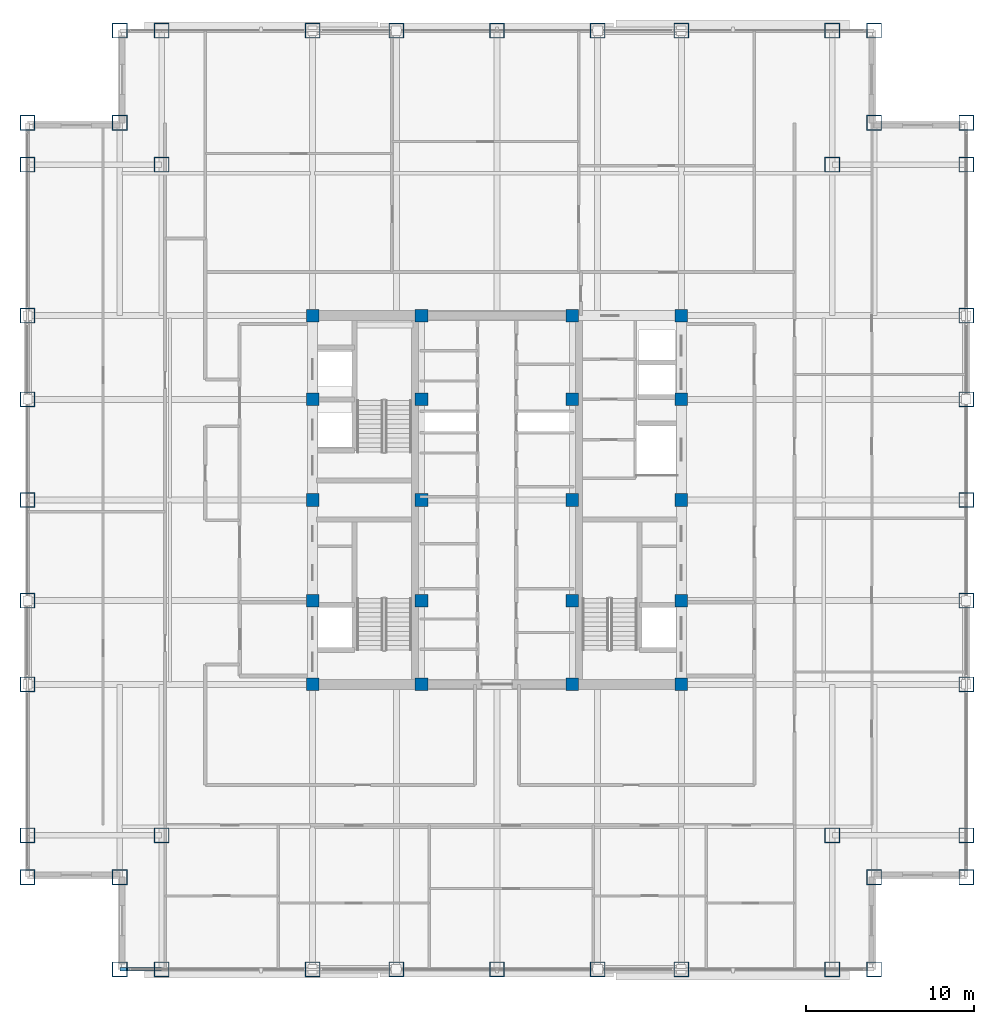
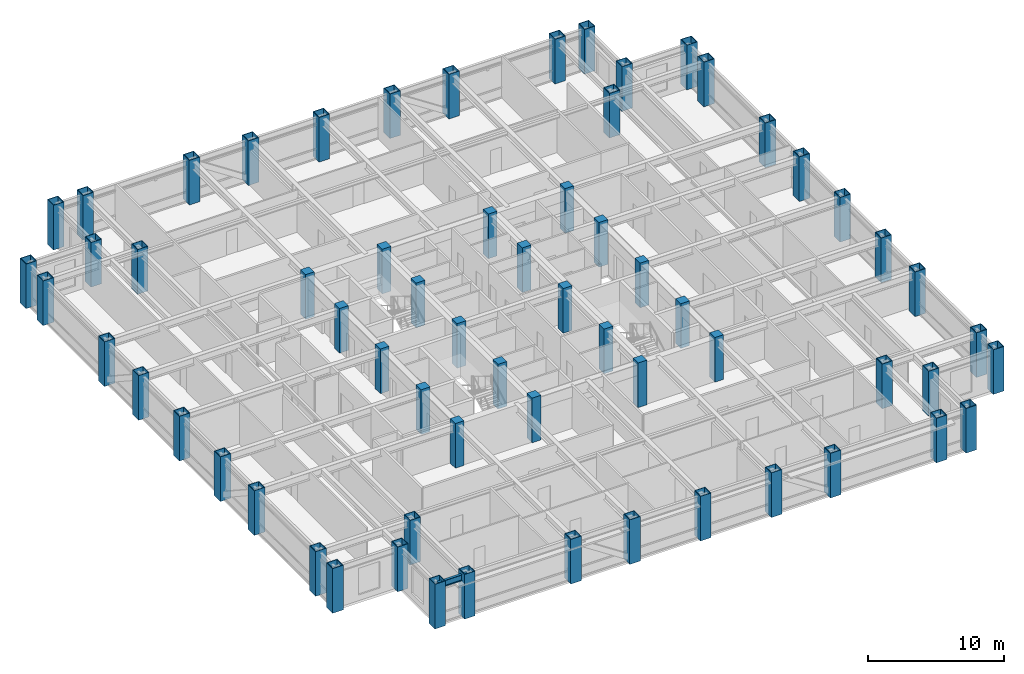
# One storey, part 1 of 27: 64 columns, 1 beam.
"""IFC4 building model written with IfcOpenShell, lengths in metres."""

import ifcopenshell
import ifcopenshell.guid

model = None  # the IFC model being written
_history = None  # IfcOwnerHistory: only IFC2X3 demands one
_inside = {}  # id of a spatial element -> (the spatial element, [elements in it])
_under = {}  # id of a project, library or spatial element -> (it, [spatial elements below it])
_declared = {}  # id of a project -> (the project, [libraries it declares])
_typed = {}  # id of a type object -> (the type object, [elements of that type])
_made_of = {}  # id of a material, layer set ... -> (it, [elements and type objects made of it])


def new_model(schema):
    """Start an empty IFC model of exactly this schema.

    Asked for "IFC4X3", IfcOpenShell would pick the latest addendum, in which some entities
    have other attributes; the version numbers below select the first issue.
    IFC2X3 requires an IfcOwnerHistory on every rooted entity: one is made here for all.
    """
    global model, _history
    if schema == "IFC4X3":
        model = ifcopenshell.file(schema_version=(4, 3, 0, 0))
    else:
        model = ifcopenshell.file(schema=schema)
    _inside.clear()
    _under.clear()
    _declared.clear()
    _typed.clear()
    _made_of.clear()
    _history = None
    if model.schema == "IFC2X3":
        org = make("IfcOrganization", Name="unknown")
        user = make(
            "IfcPersonAndOrganization",
            ThePerson=make("IfcPerson", FamilyName="unknown"),
            TheOrganization=org,
        )
        app = make(
            "IfcApplication",
            ApplicationDeveloper=org,
            Version="unknown",
            ApplicationFullName="unknown",
            ApplicationIdentifier="unknown",
        )
        _history = make(
            "IfcOwnerHistory",
            OwningUser=user,
            OwningApplication=app,
            ChangeAction="ADDED",
            CreationDate=0,
        )
    return model


def make(cls, **values):
    """One entity of the class cls with the attributes given. An attribute that is None is left unset."""
    return model.create_entity(
        cls, **{name: value for name, value in values.items() if value is not None}
    )


def rooted(cls, **values):
    """An entity with a GlobalId (a new one), such as an element, a storey or a relation."""
    return make(cls, GlobalId=ifcopenshell.guid.new(), OwnerHistory=_history, **values)


def si_unit(unit_type, name, prefix=None):
    """IfcSIUnit, for example si_unit("LENGTHUNIT", "METRE", prefix="MILLI")."""
    return make("IfcSIUnit", UnitType=unit_type, Prefix=prefix, Name=name)


def assignment(units):
    """IfcUnitAssignment: the units of a project."""
    return None if units is None else make("IfcUnitAssignment", Units=units)


def point(xyz):
    """IfcCartesianPoint."""
    return None if xyz is None else make("IfcCartesianPoint", Coordinates=xyz)


def direction(xyz):
    """IfcDirection."""
    return None if xyz is None else make("IfcDirection", DirectionRatios=xyz)


def frame(location, z_axis=None, x_axis=None):
    """IfcAxis2Placement3D, a coordinate frame: its origin and axes. An axis left out is left unset."""
    return make(
        "IfcAxis2Placement3D",
        Location=point(location),
        Axis=direction(z_axis),
        RefDirection=direction(x_axis),
    )


def frame_2d(location, x_axis=None):
    """IfcAxis2Placement2D, a coordinate frame in the plane: its origin and x axis."""
    return make(
        "IfcAxis2Placement2D", Location=point(location), RefDirection=direction(x_axis)
    )


def origin():
    """The frame at (0, 0, 0) with its axes left unset."""
    return frame((0.0, 0.0, 0.0))


def origin_2d():
    """The frame at (0, 0) in the plane with its x axis left unset."""
    return frame_2d((0.0, 0.0))


def place(relative_to, where):
    """IfcLocalPlacement: puts the frame where relative to a parent placement (None: the world)."""
    return make(
        "IfcLocalPlacement", PlacementRelTo=relative_to, RelativePlacement=where
    )


def context(
    kind, dimensions, precision=None, world=None, true_north=None, identifier=None
):
    """IfcGeometricRepresentationContext, for example the 3D "Model" context."""
    return make(
        "IfcGeometricRepresentationContext",
        ContextIdentifier=identifier,
        ContextType=kind,
        CoordinateSpaceDimension=dimensions,
        Precision=precision,
        WorldCoordinateSystem=world,
        TrueNorth=true_north,
    )


def subcontext(parent, identifier, kind, view, scale=None):
    """IfcGeometricRepresentationSubContext, for example "Body" below "Model"."""
    return make(
        "IfcGeometricRepresentationSubContext",
        ContextIdentifier=identifier,
        ContextType=kind,
        ParentContext=parent,
        TargetScale=scale,
        TargetView=view,
    )


def project(units=None, contexts=None):
    """IfcProject with its units and contexts."""
    return rooted(
        "IfcProject",
        Name="project",
        RepresentationContexts=contexts,
        UnitsInContext=assignment(units),
    )


def spatial(cls, under=None, at=None, **own):
    """A site, building, storey or space (cls), placed at a placement, below another one or the project."""
    s = rooted(cls, ObjectPlacement=at, **own)
    if under is not None:
        _under.setdefault(under.id(), (under, []))[1].append(s)
    return s


def profile(cls, at=None, kind="AREA", **sizes):
    """A parametric profile (cls). Its sizes go by their IFC names, for example OverallWidth=200.0."""
    return make(cls, ProfileType=kind, Position=at, **sizes)


def rectangle(**sizes):
    """IfcRectangleProfileDef."""
    return profile("IfcRectangleProfileDef", **sizes)


def hollow_rectangle(**sizes):
    """IfcRectangleHollowProfileDef."""
    return profile("IfcRectangleHollowProfileDef", **sizes)


def i_section(**sizes):
    """IfcIShapeProfileDef."""
    return profile("IfcIShapeProfileDef", **sizes)


def extrude(swept, where, along, depth):
    """IfcExtrudedAreaSolid: the profile swept, set in the frame where, extruded along a direction by depth."""
    return make(
        "IfcExtrudedAreaSolid",
        SweptArea=swept,
        Position=where,
        ExtrudedDirection=direction(along),
        Depth=depth,
    )


def shape(context_of_items, identifier, shape_type, items):
    """IfcShapeRepresentation: the items that make up one representation, for example the "Body"."""
    return make(
        "IfcShapeRepresentation",
        ContextOfItems=context_of_items,
        RepresentationIdentifier=identifier,
        RepresentationType=shape_type,
        Items=items,
    )


def source(mapping_origin, context_of_items, identifier, shape_type, items):
    """IfcRepresentationMap: a shape defined once, which mapped items show again and again."""
    return make(
        "IfcRepresentationMap",
        MappingOrigin=mapping_origin,
        MappedRepresentation=shape(context_of_items, identifier, shape_type, items),
    )


def transform(
    local_origin,
    x_axis=None,
    y_axis=None,
    z_axis=None,
    scale=None,
    scale2=None,
    scale3=None,
    uniform=True,
):
    """IfcCartesianTransformationOperator3D, or its non-uniform kind. x_axis, y_axis, z_axis: its Axis1, 2, 3."""
    if uniform:
        return make(
            "IfcCartesianTransformationOperator3D",
            Axis1=direction(x_axis),
            Axis2=direction(y_axis),
            LocalOrigin=point(local_origin),
            Scale=scale,
            Axis3=direction(z_axis),
        )
    return make(
        "IfcCartesianTransformationOperator3DnonUniform",
        Axis1=direction(x_axis),
        Axis2=direction(y_axis),
        LocalOrigin=point(local_origin),
        Scale=scale,
        Axis3=direction(z_axis),
        Scale2=scale2,
        Scale3=scale3,
    )


def mapped(mapping_source, mapping_target):
    """IfcMappedItem: shows the shape of a source again, moved by a transform."""
    return make(
        "IfcMappedItem", MappingSource=mapping_source, MappingTarget=mapping_target
    )


def material(Name=None, Category=None):
    """IfcMaterial."""
    return make("IfcMaterial", Name=Name, Category=Category)


def material_profile(
    of_material, cross_section, Name=None, Category=None, Priority=None
):
    """IfcMaterialProfile: a cross section and its material."""
    return make(
        "IfcMaterialProfile",
        Name=Name,
        Material=of_material,
        Profile=cross_section,
        Priority=Priority,
        Category=Category,
    )


def profile_set(profiles, Name=None, composite=None):
    """IfcMaterialProfileSet."""
    return make(
        "IfcMaterialProfileSet",
        Name=Name,
        MaterialProfiles=profiles,
        CompositeProfile=composite,
    )


def made_of(thing, what):
    """Note that an element or type object is made of a material, layer set ...; save() writes the relation."""
    if what is not None:
        _made_of.setdefault(what.id(), (what, []))[1].append(thing)
    return thing


def type_object(cls, material=None, **own):
    """A type object (cls), such as IfcWallType, which elements share."""
    return made_of(rooted(cls, **own), material)


def element(
    cls,
    number,
    at=None,
    inside=None,
    cuts=None,
    type_object=None,
    material=None,
    context=None,
    identifier="Body",
    shape_type=None,
    held_by="IfcProductDefinitionShape",
    body=None,
    shapes=None,
    **own,
):
    """One element of the class cls, such as IfcWall. Its Tag is "e" and its number.

    at: its placement. inside: the storey or other place that contains it. cuts: it is an
    opening in that element (IfcRelVoidsElement). A single representation is given by context,
    identifier, shape_type and body (its items); several are given by shapes. held_by: the class
    of the entity that holds the representations. save() writes the other relations.
    """
    e = rooted(cls, Tag="e%d" % number, ObjectPlacement=at, **own)
    if body is not None:
        shapes = [shape(context, identifier, shape_type, body)]
    if shapes is not None:
        e.Representation = make(held_by, Representations=shapes)
    if inside is not None:
        _inside.setdefault(inside.id(), (inside, []))[1].append(e)
    if cuts is not None:
        rooted(
            "IfcRelVoidsElement", RelatingBuildingElement=cuts, RelatedOpeningElement=e
        )
    if type_object is not None:
        _typed.setdefault(type_object.id(), (type_object, []))[1].append(e)
    return made_of(e, material)


def aggregate(whole, parts):
    """IfcRelAggregates: a whole, such as a stair, and the parts it consists of."""
    return rooted("IfcRelAggregates", RelatingObject=whole, RelatedObjects=parts)


def save(model, path):
    """Write the relations noted so far, then the file.

    IfcRelAggregates (storeys below a building ...), IfcRelContainedInSpatialStructure (elements
    in a storey), IfcRelDefinesByType, IfcRelAssociatesMaterial and IfcRelDeclares: one each for
    every whole, place, type object, material and project.
    """
    for whole, parts in _under.values():
        aggregate(whole, parts)
    for where, things in _inside.values():
        rooted(
            "IfcRelContainedInSpatialStructure",
            RelatedElements=things,
            RelatingStructure=where,
        )
    for kind, things in _typed.values():
        rooted("IfcRelDefinesByType", RelatedObjects=things, RelatingType=kind)
    for what, things in _made_of.values():
        rooted("IfcRelAssociatesMaterial", RelatedObjects=things, RelatingMaterial=what)
    for by, libraries in _declared.values():
        rooted("IfcRelDeclares", RelatingContext=by, RelatedDefinitions=libraries)
    model.write(path)


model = new_model("IFC4")

# Units and contexts
model_context = context("Model", 3, precision=1e-05, world=origin(), true_north=direction((0.0, 1.0)))
body_context = subcontext(model_context, "Body", "Model", "MODEL_VIEW")
ifc_project = project(units=[si_unit("LENGTHUNIT", "METRE"), si_unit("AREAUNIT", "SQUARE_METRE"), si_unit("VOLUMEUNIT", "CUBIC_METRE"), si_unit("PLANEANGLEUNIT", "RADIAN"), si_unit("MASSUNIT", "GRAM", prefix="KILO")], contexts=[model_context])

# Site, building, storey
site_placement = place(None, origin())
site = spatial("IfcSite", under=ifc_project, at=site_placement, CompositionType="ELEMENT")
building_placement = place(site_placement, origin())
building = spatial("IfcBuilding", under=site, at=building_placement, Name="Khorayat Bourse Tower", CompositionType="ELEMENT")
storey_placement = place(building_placement, frame((0.0, 0.0, 285.5)))
storey = spatial("IfcBuildingStorey", under=building, at=storey_placement, Name="L67", CompositionType="ELEMENT", Elevation=285.5)

# Columns
ifc_material_1 = material(Name="Steel EN 10025-4 S460M", Category="steel")
ifc_material_profile_1 = material_profile(ifc_material_1, hollow_rectangle(XDim=0.89990234375, YDim=0.89990234375, WallThickness=0.050048828125, at=origin_2d()), Name="BOX 900x900x50")
ifc_profile_set_1 = profile_set([ifc_material_profile_1], Name="Steel EN 10025-4 S460M")
column_type_1 = type_object("IfcColumnType", Name="COL-TUBE-900", PredefinedType="COLUMN", material=ifc_profile_set_1)
shared_shape_1 = source(origin(), body_context, "Body", "SweptSolid", [
    extrude(hollow_rectangle(XDim=0.89990234375, YDim=0.89990234375, WallThickness=0.050048828125, at=origin_2d()), origin(), (0.0, 0.0, 1.0), 4.0),
])
for number, where, z_axis, x_axis, name in (
    (1, (-28.0, -22.5, 0.0), (0.0, 0.0, 1.0), (1.0, 0.0, 0.0), "L67 Column 001"),
    (2, (-28.0, -20.0, 0.0), (0.0, 0.0, 1.0), (1.0, 0.0, 0.0), "L67 Column 002"),
    (3, (-28.0, -11.0, 0.0), (0.0, 0.0, 1.0), (1.0, 0.0, 0.0), "L67 Column 003"),
    (4, (-28.0, -6.0, 0.0), (0.0, 0.0, 1.0), (1.0, 0.0, 0.0), "L67 Column 004"),
    (5, (-28.0, 0.0, 0.0), (0.0, 0.0, 1.0), (1.0, 0.0, 0.0), "L67 Column 005"),
    (6, (-28.0, 6.0, 0.0), (0.0, 0.0, 1.0), (1.0, 0.0, 0.0), "L67 Column 006"),
    (7, (-28.0, 11.0, 0.0), (0.0, 0.0, 1.0), (1.0, 0.0, 0.0), "L67 Column 007"),
    (8, (-28.0, 20.0, 0.0), (0.0, 0.0, 1.0), (1.0, 0.0, 0.0), "L67 Column 008"),
    (9, (-28.0, 22.5, 0.0), (0.0, 0.0, 1.0), (1.0, 0.0, 0.0), "L67 Column 009"),
    (10, (-22.5, -28.0, 0.0), (0.0, 0.0, 1.0), (1.0, 0.0, 0.0), "L67 Column 010"),
    (11, (-22.5, -22.5, 0.0), (0.0, 0.0, 1.0), (1.0, 0.0, 0.0), "L67 Column 011"),
    (12, (-22.5, 22.5, 0.0), (0.0, 0.0, 1.0), (1.0, 0.0, 0.0), "L67 Column 012"),
    (13, (-22.5, 28.0, 0.0), (0.0, 0.0, 1.0), (1.0, 0.0, 0.0), "L67 Column 013"),
    (14, (-20.0, -28.0, 0.0), (0.0, 0.0, 1.0), (1.0, 0.0, 0.0), "L67 Column 014"),
    (15, (-20.0, -20.0, 0.0), (0.0, 0.0, 1.0), (1.0, 0.0, 0.0), "L67 Column 015"),
    (16, (-20.0, 20.0, 0.0), (0.0, 0.0, 1.0), (1.0, 0.0, 0.0), "L67 Column 016"),
    (17, (-20.0, 28.0, 0.0), (0.0, 0.0, 1.0), (1.0, 0.0, 0.0), "L67 Column 017"),
    (18, (-11.0, -28.0, 0.0), (0.0, 0.0, 1.0), (1.0, 0.0, 0.0), "L67 Column 018"),
    (19, (-11.0, 28.0, 0.0), (0.0, 0.0, 1.0), (1.0, 0.0, 0.0), "L67 Column 024"),
    (20, (-6.0, -28.0, 0.0), (0.0, 0.0, 1.0), (1.0, 0.0, 0.0), "L67 Column 025"),
    (21, (-6.0, 28.0, 0.0), (0.0, 0.0, 1.0), (1.0, 0.0, 0.0), "L67 Column 026"),
    (22, (0.0, -28.0, 0.0), (0.0, 0.0, 1.0), (1.0, 0.0, 0.0), "L67 Column 032"),
    (23, (0.0, 28.0, 0.0), (0.0, 0.0, 1.0), (1.0, 0.0, 0.0), "L67 Column 033"),
    (24, (6.0, -28.0, 0.0), (0.0, 0.0, 1.0), (1.0, 0.0, 0.0), "L67 Column 039"),
    (25, (6.0, 28.0, 0.0), (0.0, 0.0, 1.0), (1.0, 0.0, 0.0), "L67 Column 040"),
    (26, (11.0, -28.0, 0.0), (0.0, 0.0, 1.0), (1.0, 0.0, 0.0), "L67 Column 041"),
    (27, (11.0, 28.0, 0.0), (0.0, 0.0, 1.0), (1.0, 0.0, 0.0), "L67 Column 047"),
    (28, (20.0, -28.0, 0.0), (0.0, 0.0, 1.0), (1.0, 0.0, 0.0), "L67 Column 048"),
    (29, (20.0, -20.0, 0.0), (0.0, 0.0, 1.0), (1.0, 0.0, 0.0), "L67 Column 049"),
    (30, (20.0, 20.0, 0.0), (0.0, 0.0, 1.0), (1.0, 0.0, 0.0), "L67 Column 050"),
    (31, (20.0, 28.0, 0.0), (0.0, 0.0, 1.0), (1.0, 0.0, 0.0), "L67 Column 051"),
    (32, (22.5, -28.0, 0.0), (0.0, 0.0, 1.0), (1.0, 0.0, 0.0), "L67 Column 052"),
    (33, (22.5, -22.5, 0.0), (0.0, 0.0, 1.0), (1.0, 0.0, 0.0), "L67 Column 053"),
    (34, (22.5, 22.5, 0.0), (0.0, 0.0, 1.0), (1.0, 0.0, 0.0), "L67 Column 054"),
    (35, (22.5, 28.0, 0.0), (0.0, 0.0, 1.0), (1.0, 0.0, 0.0), "L67 Column 055"),
    (36, (28.0, -22.5, 0.0), (0.0, 0.0, 1.0), (1.0, 0.0, 0.0), "L67 Column 056"),
    (37, (28.0, -20.0, 0.0), (0.0, 0.0, 1.0), (1.0, 0.0, 0.0), "L67 Column 057"),
    (38, (28.0, -11.0, 0.0), (0.0, 0.0, 1.0), (1.0, 0.0, 0.0), "L67 Column 058"),
    (39, (28.0, -6.0, 0.0), (0.0, 0.0, 1.0), (1.0, 0.0, 0.0), "L67 Column 059"),
    (40, (28.0, 0.0, 0.0), (0.0, 0.0, 1.0), (1.0, 0.0, 0.0), "L67 Column 060"),
    (41, (28.0, 6.0, 0.0), (0.0, 0.0, 1.0), (1.0, 0.0, 0.0), "L67 Column 061"),
    (42, (28.0, 11.0, 0.0), (0.0, 0.0, 1.0), (1.0, 0.0, 0.0), "L67 Column 062"),
    (43, (28.0, 20.0, 0.0), (0.0, 0.0, 1.0), (1.0, 0.0, 0.0), "L67 Column 063"),
    (44, (28.0, 22.5, 0.0), (0.0, 0.0, 1.0), (1.0, 0.0, 0.0), "L67 Column 064"),
):
    element("IfcColumn", number, at=place(storey_placement, frame(where, z_axis=z_axis, x_axis=x_axis)), inside=storey, type_object=column_type_1, Name=name, PredefinedType="COLUMN", context=body_context, shape_type="MappedRepresentation", body=[
        mapped(shared_shape_1, transform((0.0, 0.0, 0.0), scale=1.0)),
    ])
ifc_material_2 = material(Name="Concrete C52/65", Category="concrete")
ifc_material_profile_2 = material_profile(ifc_material_2, rectangle(XDim=0.75, YDim=0.75, at=origin_2d()), Name="RC 750x750")
ifc_profile_set_2 = profile_set([ifc_material_profile_2], Name="Concrete C52/65")
column_type_2 = type_object("IfcColumnType", Name="COL-CORE-750", PredefinedType="COLUMN", material=ifc_profile_set_2)
shared_shape_2 = source(origin(), body_context, "Body", "SweptSolid", [
    extrude(rectangle(XDim=0.75, YDim=0.75, at=origin_2d()), origin(), (0.0, 0.0, 1.0), 4.0),
])
for number, where, z_axis, x_axis, name in (
    (45, (-11.0, -11.0, 0.0), (0.0, 0.0, 1.0), (1.0, 0.0, 0.0), "L67 Column 019"),
    (46, (-11.0, -6.0, 0.0), (0.0, 0.0, 1.0), (1.0, 0.0, 0.0), "L67 Column 020"),
    (47, (-11.0, 0.0, 0.0), (0.0, 0.0, 1.0), (1.0, 0.0, 0.0), "L67 Column 021"),
    (48, (-11.0, 6.0, 0.0), (0.0, 0.0, 1.0), (1.0, 0.0, 0.0), "L67 Column 022"),
    (49, (-11.0, 11.0, 0.0), (0.0, 0.0, 1.0), (1.0, 0.0, 0.0), "L67 Column 023"),
    (50, (-4.5, -11.0, 0.0), (0.0, 0.0, 1.0), (1.0, 0.0, 0.0), "L67 Column 027"),
    (51, (-4.5, -6.0, 0.0), (0.0, 0.0, 1.0), (1.0, 0.0, 0.0), "L67 Column 028"),
    (52, (-4.5, 0.0, 0.0), (0.0, 0.0, 1.0), (1.0, 0.0, 0.0), "L67 Column 029"),
    (53, (-4.5, 6.0, 0.0), (0.0, 0.0, 1.0), (1.0, 0.0, 0.0), "L67 Column 030"),
    (54, (-4.5, 11.0, 0.0), (0.0, 0.0, 1.0), (1.0, 0.0, 0.0), "L67 Column 031"),
    (55, (4.5, -11.0, 0.0), (0.0, 0.0, 1.0), (1.0, 0.0, 0.0), "L67 Column 034"),
    (56, (4.5, -6.0, 0.0), (0.0, 0.0, 1.0), (1.0, 0.0, 0.0), "L67 Column 035"),
    (57, (4.5, 0.0, 0.0), (0.0, 0.0, 1.0), (1.0, 0.0, 0.0), "L67 Column 036"),
    (58, (4.5, 6.0, 0.0), (0.0, 0.0, 1.0), (1.0, 0.0, 0.0), "L67 Column 037"),
    (59, (4.5, 11.0, 0.0), (0.0, 0.0, 1.0), (1.0, 0.0, 0.0), "L67 Column 038"),
    (60, (11.0, -11.0, 0.0), (0.0, 0.0, 1.0), (1.0, 0.0, 0.0), "L67 Column 042"),
    (61, (11.0, -6.0, 0.0), (0.0, 0.0, 1.0), (1.0, 0.0, 0.0), "L67 Column 043"),
    (62, (11.0, 0.0, 0.0), (0.0, 0.0, 1.0), (1.0, 0.0, 0.0), "L67 Column 044"),
    (63, (11.0, 6.0, 0.0), (0.0, 0.0, 1.0), (1.0, 0.0, 0.0), "L67 Column 045"),
    (64, (11.0, 11.0, 0.0), (0.0, 0.0, 1.0), (1.0, 0.0, 0.0), "L67 Column 046"),
):
    element("IfcColumn", number, at=place(storey_placement, frame(where, z_axis=z_axis, x_axis=x_axis)), inside=storey, type_object=column_type_2, Name=name, PredefinedType="COLUMN", context=body_context, shape_type="MappedRepresentation", body=[
        mapped(shared_shape_2, transform((0.0, 0.0, 0.0), scale=1.0)),
    ])

# Beam
ifc_material_3 = material(Name="Steel ASTM A992 Grade 50", Category="steel")
ifc_material_profile_3 = material_profile(ifc_material_3, i_section(OverallWidth=0.214111328125, OverallDepth=0.549072265625, WebThickness=0.0146484375, FlangeThickness=0.023681640625, FilletRadius=0.013916015625, at=origin_2d()), Name="W530X138")
ifc_profile_set_3 = profile_set([ifc_material_profile_3], Name="Steel ASTM A992 Grade 50")
beam_type = type_object("IfcBeamType", Name="BM-SPAN-530", PredefinedType="SPANDREL", material=ifc_profile_set_3)
shared_shape_3 = source(origin(), body_context, "Body", "SweptSolid", [
    extrude(i_section(OverallWidth=0.214111328125, OverallDepth=0.549072265625, WebThickness=0.0146484375, FlangeThickness=0.023681640625, FilletRadius=0.013916015625, at=origin_2d()), origin(), (0.0, 0.0, 1.0), 2.5),
])
beam_placement = place(storey_placement, frame((-22.5, -28.0, 3.505615234375), z_axis=(1.0, 0.0, 0.0), x_axis=(0.0, 1.0, 0.0)))
element("IfcBeam", 65, at=beam_placement, inside=storey, type_object=beam_type, Name="L67 BM-SPAN-530 BM-L67-SPN-024", PredefinedType="SPANDREL", context=body_context, shape_type="MappedRepresentation", body=[
    mapped(shared_shape_3, transform((0.0, 0.0, 0.0), scale=1.0)),
])

save(model, "model.ifc")
